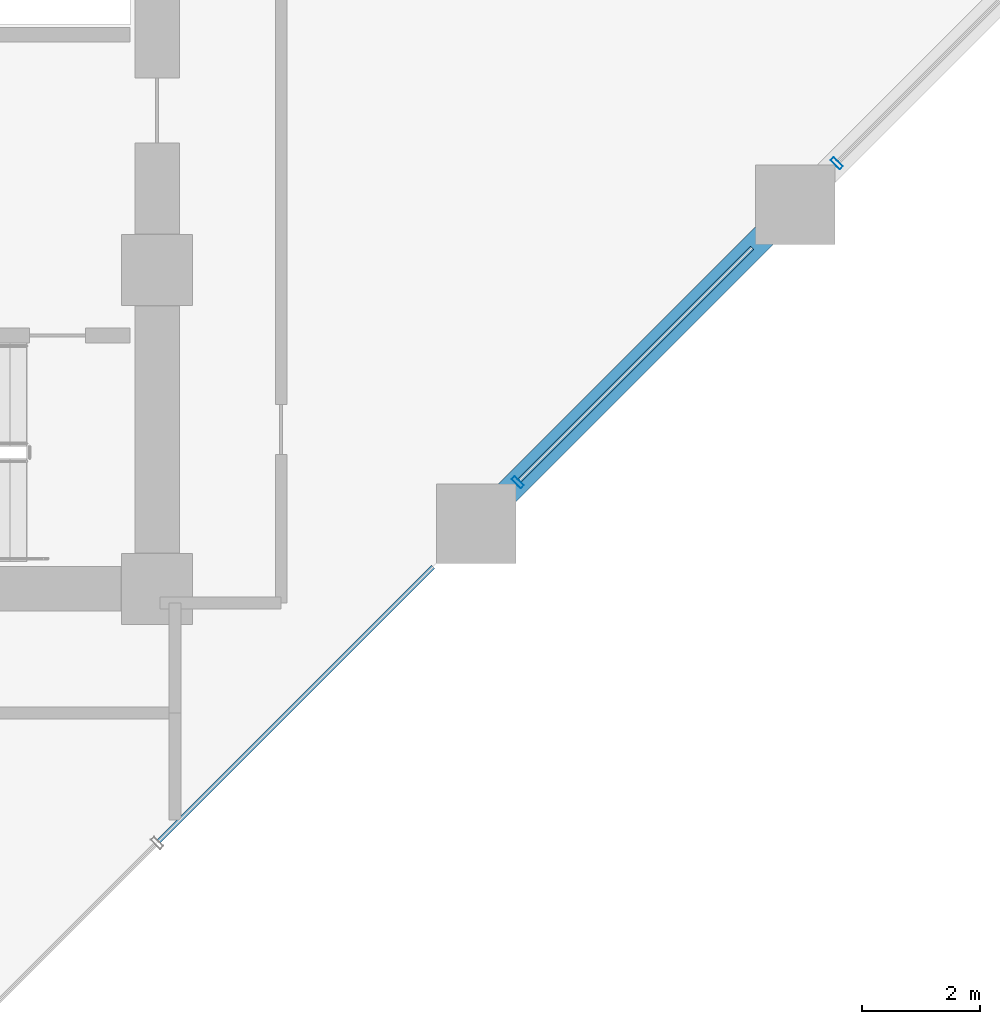
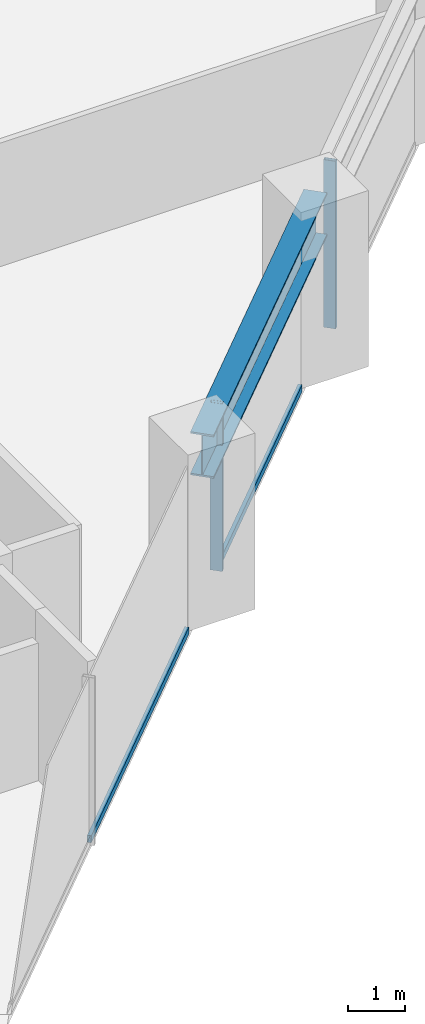
# One storey, part 8 of 25: 4 members, 1 beam, 1 element without a shape of its own.
"""IFC4 building model written with IfcOpenShell, lengths in metres."""

import ifcopenshell
import ifcopenshell.guid

model = None  # the IFC model being written
_history = None  # IfcOwnerHistory: only IFC2X3 demands one
_inside = {}  # id of a spatial element -> (the spatial element, [elements in it])
_under = {}  # id of a project, library or spatial element -> (it, [spatial elements below it])
_declared = {}  # id of a project -> (the project, [libraries it declares])
_typed = {}  # id of a type object -> (the type object, [elements of that type])
_made_of = {}  # id of a material, layer set ... -> (it, [elements and type objects made of it])


def new_model(schema):
    """Start an empty IFC model of exactly this schema.

    Asked for "IFC4X3", IfcOpenShell would pick the latest addendum, in which some entities
    have other attributes; the version numbers below select the first issue.
    IFC2X3 requires an IfcOwnerHistory on every rooted entity: one is made here for all.
    """
    global model, _history
    if schema == "IFC4X3":
        model = ifcopenshell.file(schema_version=(4, 3, 0, 0))
    else:
        model = ifcopenshell.file(schema=schema)
    _inside.clear()
    _under.clear()
    _declared.clear()
    _typed.clear()
    _made_of.clear()
    _history = None
    if model.schema == "IFC2X3":
        org = make("IfcOrganization", Name="unknown")
        user = make(
            "IfcPersonAndOrganization",
            ThePerson=make("IfcPerson", FamilyName="unknown"),
            TheOrganization=org,
        )
        app = make(
            "IfcApplication",
            ApplicationDeveloper=org,
            Version="unknown",
            ApplicationFullName="unknown",
            ApplicationIdentifier="unknown",
        )
        _history = make(
            "IfcOwnerHistory",
            OwningUser=user,
            OwningApplication=app,
            ChangeAction="ADDED",
            CreationDate=0,
        )
    return model


def make(cls, **values):
    """One entity of the class cls with the attributes given. An attribute that is None is left unset."""
    return model.create_entity(
        cls, **{name: value for name, value in values.items() if value is not None}
    )


def rooted(cls, **values):
    """An entity with a GlobalId (a new one), such as an element, a storey or a relation."""
    return make(cls, GlobalId=ifcopenshell.guid.new(), OwnerHistory=_history, **values)


def si_unit(unit_type, name, prefix=None):
    """IfcSIUnit, for example si_unit("LENGTHUNIT", "METRE", prefix="MILLI")."""
    return make("IfcSIUnit", UnitType=unit_type, Prefix=prefix, Name=name)


def assignment(units):
    """IfcUnitAssignment: the units of a project."""
    return None if units is None else make("IfcUnitAssignment", Units=units)


def point(xyz):
    """IfcCartesianPoint."""
    return None if xyz is None else make("IfcCartesianPoint", Coordinates=xyz)


def direction(xyz):
    """IfcDirection."""
    return None if xyz is None else make("IfcDirection", DirectionRatios=xyz)


def frame(location, z_axis=None, x_axis=None):
    """IfcAxis2Placement3D, a coordinate frame: its origin and axes. An axis left out is left unset."""
    return make(
        "IfcAxis2Placement3D",
        Location=point(location),
        Axis=direction(z_axis),
        RefDirection=direction(x_axis),
    )


def frame_2d(location, x_axis=None):
    """IfcAxis2Placement2D, a coordinate frame in the plane: its origin and x axis."""
    return make(
        "IfcAxis2Placement2D", Location=point(location), RefDirection=direction(x_axis)
    )


def origin():
    """The frame at (0, 0, 0) with its axes left unset."""
    return frame((0.0, 0.0, 0.0))


def origin_2d():
    """The frame at (0, 0) in the plane with its x axis left unset."""
    return frame_2d((0.0, 0.0))


def place(relative_to, where):
    """IfcLocalPlacement: puts the frame where relative to a parent placement (None: the world)."""
    return make(
        "IfcLocalPlacement", PlacementRelTo=relative_to, RelativePlacement=where
    )


def context(
    kind, dimensions, precision=None, world=None, true_north=None, identifier=None
):
    """IfcGeometricRepresentationContext, for example the 3D "Model" context."""
    return make(
        "IfcGeometricRepresentationContext",
        ContextIdentifier=identifier,
        ContextType=kind,
        CoordinateSpaceDimension=dimensions,
        Precision=precision,
        WorldCoordinateSystem=world,
        TrueNorth=true_north,
    )


def subcontext(parent, identifier, kind, view, scale=None):
    """IfcGeometricRepresentationSubContext, for example "Body" below "Model"."""
    return make(
        "IfcGeometricRepresentationSubContext",
        ContextIdentifier=identifier,
        ContextType=kind,
        ParentContext=parent,
        TargetScale=scale,
        TargetView=view,
    )


def project(units=None, contexts=None):
    """IfcProject with its units and contexts."""
    return rooted(
        "IfcProject",
        Name="project",
        RepresentationContexts=contexts,
        UnitsInContext=assignment(units),
    )


def spatial(cls, under=None, at=None, **own):
    """A site, building, storey or space (cls), placed at a placement, below another one or the project."""
    s = rooted(cls, ObjectPlacement=at, **own)
    if under is not None:
        _under.setdefault(under.id(), (under, []))[1].append(s)
    return s


def profile(cls, at=None, kind="AREA", **sizes):
    """A parametric profile (cls). Its sizes go by their IFC names, for example OverallWidth=200.0."""
    return make(cls, ProfileType=kind, Position=at, **sizes)


def hollow_rectangle(**sizes):
    """IfcRectangleHollowProfileDef."""
    return profile("IfcRectangleHollowProfileDef", **sizes)


def i_section(**sizes):
    """IfcIShapeProfileDef."""
    return profile("IfcIShapeProfileDef", **sizes)


def extrude(swept, where, along, depth):
    """IfcExtrudedAreaSolid: the profile swept, set in the frame where, extruded along a direction by depth."""
    return make(
        "IfcExtrudedAreaSolid",
        SweptArea=swept,
        Position=where,
        ExtrudedDirection=direction(along),
        Depth=depth,
    )


def shape(context_of_items, identifier, shape_type, items):
    """IfcShapeRepresentation: the items that make up one representation, for example the "Body"."""
    return make(
        "IfcShapeRepresentation",
        ContextOfItems=context_of_items,
        RepresentationIdentifier=identifier,
        RepresentationType=shape_type,
        Items=items,
    )


def material(Name=None, Category=None):
    """IfcMaterial."""
    return make("IfcMaterial", Name=Name, Category=Category)


def layer(
    of_material, thickness, ventilated=None, Name=None, Category=None, Priority=None
):
    """IfcMaterialLayer: one layer of a wall or slab, of a material (None: an air gap)."""
    return make(
        "IfcMaterialLayer",
        Material=of_material,
        LayerThickness=thickness,
        IsVentilated=ventilated,
        Name=Name,
        Category=Category,
        Priority=Priority,
    )


def layer_set(layers, Name=None):
    """IfcMaterialLayerSet."""
    return make("IfcMaterialLayerSet", MaterialLayers=layers, LayerSetName=Name)


def material_profile(
    of_material, cross_section, Name=None, Category=None, Priority=None
):
    """IfcMaterialProfile: a cross section and its material."""
    return make(
        "IfcMaterialProfile",
        Name=Name,
        Material=of_material,
        Profile=cross_section,
        Priority=Priority,
        Category=Category,
    )


def profile_set(profiles, Name=None, composite=None):
    """IfcMaterialProfileSet."""
    return make(
        "IfcMaterialProfileSet",
        Name=Name,
        MaterialProfiles=profiles,
        CompositeProfile=composite,
    )


def made_of(thing, what):
    """Note that an element or type object is made of a material, layer set ...; save() writes the relation."""
    if what is not None:
        _made_of.setdefault(what.id(), (what, []))[1].append(thing)
    return thing


def type_object(cls, material=None, **own):
    """A type object (cls), such as IfcWallType, which elements share."""
    return made_of(rooted(cls, **own), material)


def element(
    cls,
    number,
    at=None,
    inside=None,
    cuts=None,
    type_object=None,
    material=None,
    context=None,
    identifier="Body",
    shape_type=None,
    held_by="IfcProductDefinitionShape",
    body=None,
    shapes=None,
    **own,
):
    """One element of the class cls, such as IfcWall. Its Tag is "e" and its number.

    at: its placement. inside: the storey or other place that contains it. cuts: it is an
    opening in that element (IfcRelVoidsElement). A single representation is given by context,
    identifier, shape_type and body (its items); several are given by shapes. held_by: the class
    of the entity that holds the representations. save() writes the other relations.
    """
    e = rooted(cls, Tag="e%d" % number, ObjectPlacement=at, **own)
    if body is not None:
        shapes = [shape(context, identifier, shape_type, body)]
    if shapes is not None:
        e.Representation = make(held_by, Representations=shapes)
    if inside is not None:
        _inside.setdefault(inside.id(), (inside, []))[1].append(e)
    if cuts is not None:
        rooted(
            "IfcRelVoidsElement", RelatingBuildingElement=cuts, RelatedOpeningElement=e
        )
    if type_object is not None:
        _typed.setdefault(type_object.id(), (type_object, []))[1].append(e)
    return made_of(e, material)


def aggregate(whole, parts):
    """IfcRelAggregates: a whole, such as a stair, and the parts it consists of."""
    return rooted("IfcRelAggregates", RelatingObject=whole, RelatedObjects=parts)


def save(model, path):
    """Write the relations noted so far, then the file.

    IfcRelAggregates (storeys below a building ...), IfcRelContainedInSpatialStructure (elements
    in a storey), IfcRelDefinesByType, IfcRelAssociatesMaterial and IfcRelDeclares: one each for
    every whole, place, type object, material and project.
    """
    for whole, parts in _under.values():
        aggregate(whole, parts)
    for where, things in _inside.values():
        rooted(
            "IfcRelContainedInSpatialStructure",
            RelatedElements=things,
            RelatingStructure=where,
        )
    for kind, things in _typed.values():
        rooted("IfcRelDefinesByType", RelatedObjects=things, RelatingType=kind)
    for what, things in _made_of.values():
        rooted("IfcRelAssociatesMaterial", RelatedObjects=things, RelatingMaterial=what)
    for by, libraries in _declared.values():
        rooted("IfcRelDeclares", RelatingContext=by, RelatedDefinitions=libraries)
    model.write(path)


model = new_model("IFC4")

# Units and contexts
model_context = context("Model", 3, precision=1e-05, world=origin(), true_north=direction((0.0, 1.0)))
body_context = subcontext(model_context, "Body", "Model", "MODEL_VIEW")
ifc_project = project(units=[si_unit("LENGTHUNIT", "METRE"), si_unit("AREAUNIT", "SQUARE_METRE"), si_unit("VOLUMEUNIT", "CUBIC_METRE"), si_unit("PLANEANGLEUNIT", "RADIAN"), si_unit("MASSUNIT", "GRAM", prefix="KILO")], contexts=[model_context])

# Site, building, storey
site_placement = place(None, origin())
site = spatial("IfcSite", under=ifc_project, at=site_placement, CompositionType="ELEMENT")
building_placement = place(site_placement, origin())
building = spatial("IfcBuilding", under=site, at=building_placement, Name="Surkhivell Harbour Commons", CompositionType="ELEMENT")
storey_placement = place(building_placement, frame((0.0, 0.0, 37.5)))
storey = spatial("IfcBuildingStorey", under=building, at=storey_placement, Name="L09", CompositionType="ELEMENT", Elevation=37.5)

# Beam
ifc_material_1 = material(Name="Steel S460", Category="steel")
ifc_material_profile_1 = material_profile(ifc_material_1, i_section(OverallWidth=0.419921875, OverallDepth=0.9208984375, WebThickness=0.021484375, FlangeThickness=0.03662109375, at=origin_2d()), Name="UB914x419x388")
ifc_profile_set_1 = profile_set([ifc_material_profile_1], Name="Steel S460")
beam_type = type_object("IfcBeamType", Name="BM-SPN-914A", PredefinedType="SPANDREL", material=ifc_profile_set_1)
beam_placement = place(storey_placement, frame((16.199951171875, -9.699951171875, 3.109619140625), z_axis=(0.707122765516, 0.707090796496, 0.0), x_axis=(-0.707090796496, 0.707122765516, 0.0)))
element("IfcBeam", 1, at=beam_placement, inside=storey, type_object=beam_type, Name="L09 Tube Spandrel (16.2,-9.7)", PredefinedType="SPANDREL", context=body_context, shape_type="SweptSolid", body=[
    extrude(i_section(OverallWidth=0.419921875, OverallDepth=0.9208984375, WebThickness=0.021484375, FlangeThickness=0.03662109375, at=origin_2d()), origin(), (0.0, 0.0, 1.0), 7.63671875),
])

# Curtain wall, members
ifc_material_2 = material(Name="Anodised pale-metal aluminium and insulated glazing", Category="aluminium")
ifc_layer = layer(ifc_material_2, 0.219970703125)
ifc_layer_set = layer_set([ifc_layer], Name="Anodised pale-metal aluminium and insulated glazing")
curtain_wall_type = type_object("IfcCurtainWallType", Name="CW-SYS-Z1", PredefinedType="NOTDEFINED", material=ifc_layer_set)
curtain_wall_placement = place(storey_placement, origin())
curtain_wall = element("IfcCurtainWall", 2, at=curtain_wall_placement, inside=storey, type_object=curtain_wall_type, Name="L09 Curtain Wall CW-L09-E01", PredefinedType="NOTDEFINED")
ifc_material_3 = material(Name="Anodised pale-metal aluminium alloy 6063-T6", Category="aluminium")
ifc_material_profile_2 = material_profile(ifc_material_3, hollow_rectangle(XDim=0.074951171875, YDim=0.219970703125, WallThickness=0.00390625, at=origin_2d()), Name="ALU-MULL-75x220")
ifc_profile_set_2 = profile_set([ifc_material_profile_2], Name="Anodised pale-metal aluminium alloy 6063-T6")
member_type_1 = type_object("IfcMemberType", Name="CWM-220", PredefinedType="MULLION", material=ifc_profile_set_2)
member_1_placement = place(storey_placement, frame((16.9033203125, -8.99658203125, 0.0), z_axis=(0.0, 0.0, 1.0), x_axis=(0.707106781187, 0.707106781187, 0.0)))
member_1 = element("IfcMember", 3, at=member_1_placement, type_object=member_type_1, Name="CW-Z1 mullion 4", PredefinedType="MULLION", context=body_context, shape_type="SweptSolid", body=[
    extrude(hollow_rectangle(XDim=0.074951171875, YDim=0.219970703125, WallThickness=0.00390625, at=origin_2d()), origin(), (0.0, 0.0, 1.0), 3.570068359375),
])
member_2_placement = place(storey_placement, frame((22.30322265625, -3.5966796875, 0.0), z_axis=(0.0, 0.0, 1.0), x_axis=(0.707106781187, 0.707106781187, 0.0)))
member_2 = element("IfcMember", 4, at=member_2_placement, type_object=member_type_1, Name="CW-Z1 mullion 5", PredefinedType="MULLION", context=body_context, shape_type="SweptSolid", body=[
    extrude(hollow_rectangle(XDim=0.074951171875, YDim=0.219970703125, WallThickness=0.00390625, at=origin_2d()), origin(), (0.0, 0.0, 1.0), 3.570068359375),
])
ifc_material_profile_3 = material_profile(ifc_material_3, hollow_rectangle(XDim=0.074951171875, YDim=0.14990234375, WallThickness=0.00341796875, at=origin_2d()), Name="ALU-TRAN-75x150")
ifc_profile_set_3 = profile_set([ifc_material_profile_3], Name="Anodised pale-metal aluminium alloy 6063-T6")
member_type_2 = type_object("IfcMemberType", Name="CWT-150", PredefinedType="USERDEFINED", material=ifc_profile_set_3)
member_3_placement = place(storey_placement, frame((10.826416015625, -15.073486328125, 0.074951171875), z_axis=(0.70712536896, 0.707088192925, 0.0), x_axis=(-0.707088192925, 0.70712536896, 0.0)))
member_3 = element("IfcMember", 5, at=member_3_placement, type_object=member_type_2, Name="CW-Z1 transom 3.1", ObjectType="TRANSOM", PredefinedType="USERDEFINED", context=body_context, shape_type="SweptSolid", body=[
    extrude(hollow_rectangle(XDim=0.074951171875, YDim=0.14990234375, WallThickness=0.00341796875, at=origin_2d()), origin(), (0.0, 0.0, 1.0), 6.567138671875),
])
member_4_placement = place(storey_placement, frame((16.929931640625, -8.97021484375, 0.074951171875), z_axis=(0.707084874754, 0.70712868694, 0.0), x_axis=(-0.70712868694, 0.707084874754, 0.0)))
member_4 = element("IfcMember", 6, at=member_4_placement, type_object=member_type_2, Name="CW-Z1 transom 4.1", ObjectType="TRANSOM", PredefinedType="USERDEFINED", context=body_context, shape_type="SweptSolid", body=[
    extrude(hollow_rectangle(XDim=0.074951171875, YDim=0.14990234375, WallThickness=0.00341796875, at=origin_2d()), origin(), (0.0, 0.0, 1.0), 5.572509765625),
])
aggregate(curtain_wall, [member_3, member_1, member_4, member_2])

save(model, "model.ifc")
